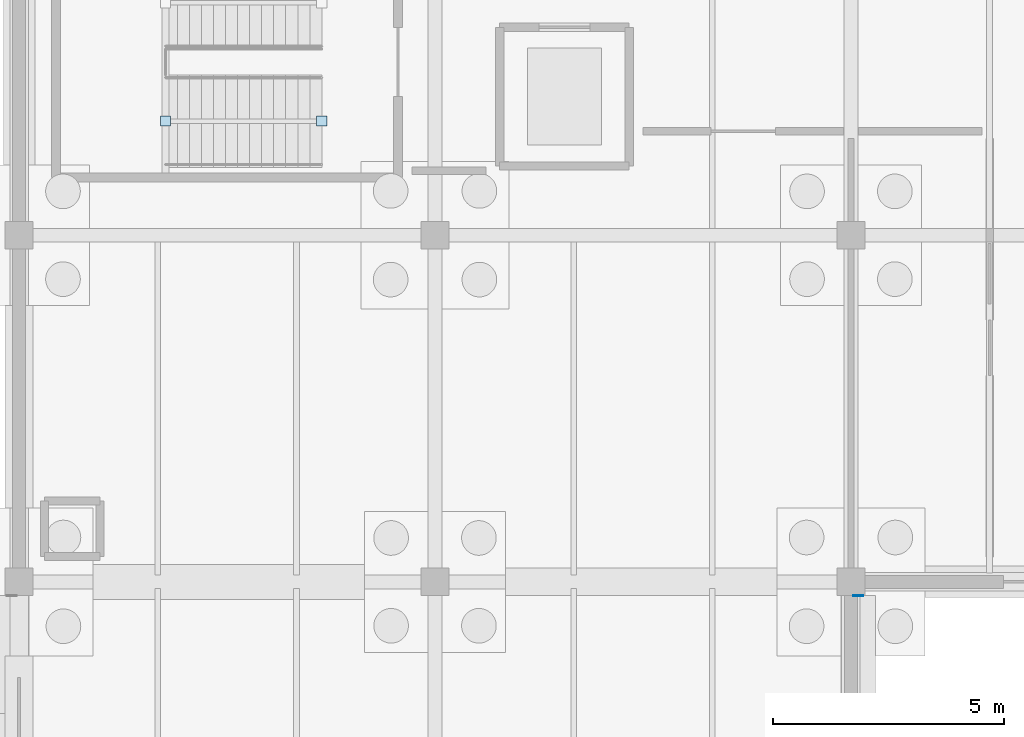
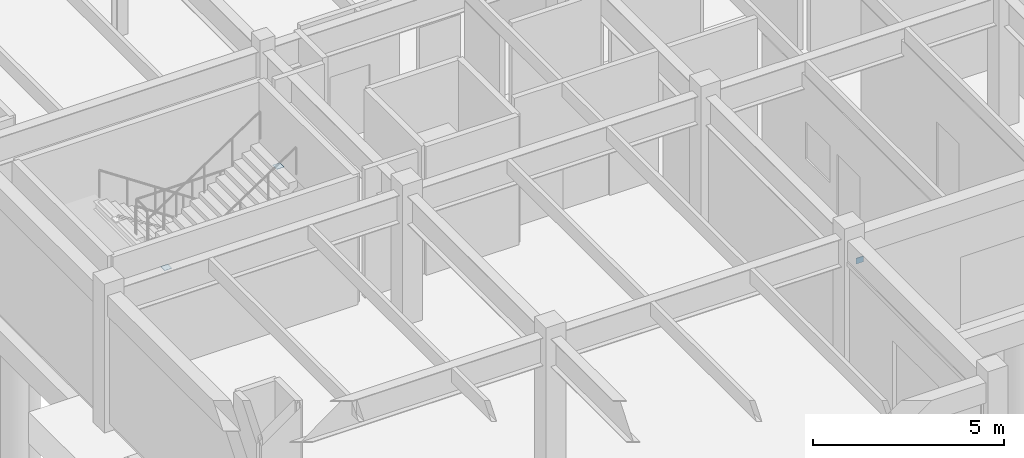
# One storey, part 66 of 93: 3 plates.
"""IFC4 building model written with IfcOpenShell, lengths in metres."""

from ifc_helpers import new_model, si_unit, direction, frame, origin, origin_2d, place, context, subcontext, project, spatial, rectangle, extrude, material, layer, layer_set, type_object, element, save


model = new_model("IFC4")

# Units and contexts
model_context = context("Model", 3, precision=1e-05, world=origin(), true_north=direction((0.0, 1.0)))
body_context = subcontext(model_context, "Body", "Model", "MODEL_VIEW")
ifc_project = project(units=[si_unit("LENGTHUNIT", "METRE"), si_unit("AREAUNIT", "SQUARE_METRE"), si_unit("VOLUMEUNIT", "CUBIC_METRE"), si_unit("PLANEANGLEUNIT", "RADIAN"), si_unit("MASSUNIT", "GRAM", prefix="KILO")], contexts=[model_context])

# Site, building, storey
site_placement = place(None, origin())
site = spatial("IfcSite", under=ifc_project, at=site_placement, CompositionType="ELEMENT")
building_placement = place(site_placement, origin())
building = spatial("IfcBuilding", under=site, at=building_placement, Name="Marnridge Secondary College", CompositionType="ELEMENT")
storey_placement = place(building_placement, origin())
storey = spatial("IfcBuildingStorey", under=building, at=storey_placement, Name="L00", CompositionType="ELEMENT", Elevation=0.0)

# Plates
ifc_material_1 = material(Name="Structural steel plate Grade 350 (AS/NZS 3678, fy = 350 MPa <=12mm, 340 MPa 12-20mm, 330 MPa 20-50mm)", Category="steel")
ifc_layer_1 = layer(ifc_material_1, 0.010009765625)
ifc_layer_set_1 = layer_set([ifc_layer_1], Name="PT-CAP-INT")
plate_type_1 = type_object("IfcPlateType", Name="PT-CAP-INT", PredefinedType="SHEET", material=ifc_layer_set_1)
for number, where, z_axis, x_axis, name in (
    (1, (3.171630859375, 92.469970703125, 2.13818359375), (0.0, 0.0, 1.0), (1.0, 0.0, 0.0), "Tube end cap STR-038-EC1"),
    (2, (6.54833984375, 92.469970703125, 4.18603515625), (0.0, 0.0, 1.0), (1.0, 0.0, 0.0), "Tube end cap STR-038-EC2"),
):
    element("IfcPlate", number, at=place(storey_placement, frame(where, z_axis=z_axis, x_axis=x_axis)), inside=storey, type_object=plate_type_1, Name=name, PredefinedType="SHEET", context=body_context, shape_type="SweptSolid", body=[
        extrude(rectangle(XDim=0.219970703125, YDim=0.219970703125, at=origin_2d()), origin(), (0.0, 0.0, 1.0), 0.010009765625),
    ])
ifc_material_2 = material(Name="Structural steel plate Grade 350 (AS/NZS 3678, fy = 350 MPa <=12mm, 340 MPa 12-20mm, 330 MPa 20-50mm)", Category="steel")
ifc_layer_2 = layer(ifc_material_2, 0.02392578125)
ifc_layer_set_2 = layer_set([ifc_layer_2], Name="PT-GUS-GSN2")
plate_type_2 = type_object("IfcPlateType", Name="PT-GUS-GSN2", PredefinedType="USERDEFINED", material=ifc_layer_set_2)
plate_placement = place(storey_placement, frame((18.159912109375, 82.199951171875, 3.27197265625), z_axis=(0.0, 0.0, 1.0), x_axis=(1.0, 0.0, 0.0)))
element("IfcPlate", 3, at=plate_placement, inside=storey, type_object=plate_type_2, Name="Solar fin end bracket plate SFN-0019-BP1", ObjectType="GUSSET PLATE", PredefinedType="USERDEFINED", context=body_context, shape_type="SweptSolid", body=[
    extrude(rectangle(XDim=0.219970703125, YDim=0.01806640625, at=origin_2d()), origin(), (0.0, 0.0, 1.0), 0.179931640625),
])

save(model, "model.ifc")
